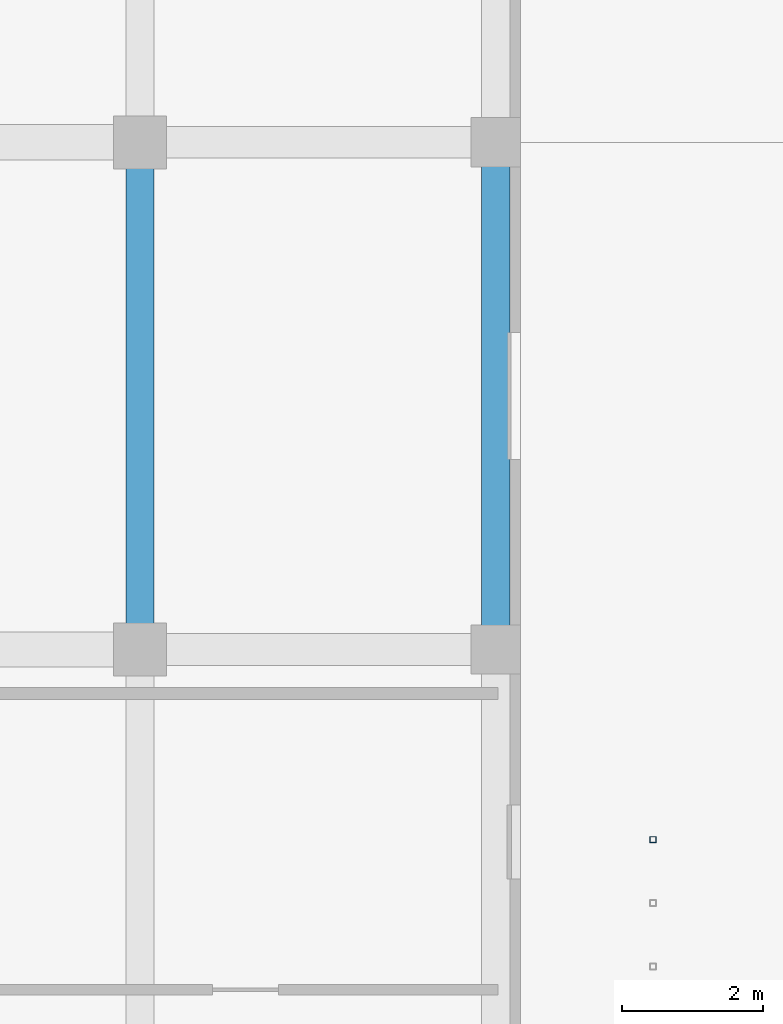
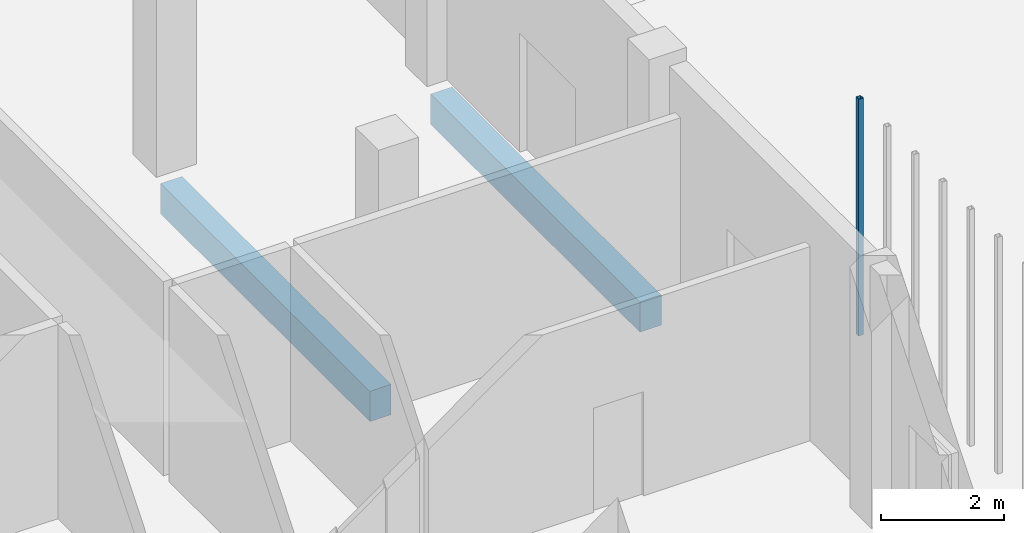
# One storey, part 17 of 85: 2 beams, 1 member.
"""IFC4 building model written with IfcOpenShell, lengths in metres."""

from ifc_helpers import new_model, si_unit, derived_unit, direction, frame, origin, origin_2d, place, context, subcontext, project, spatial, rectangle, hollow_rectangle, extrude, material, material_profile, profile_set, type_object, element, save


model = new_model("IFC4")

# Units and contexts
model_context = context("Model", 3, precision=1e-05, world=origin(), true_north=direction((0.0, 1.0)))
body_context = subcontext(model_context, "Body", "Model", "MODEL_VIEW")
ifc_project = project(units=[si_unit("LENGTHUNIT", "METRE"), si_unit("AREAUNIT", "SQUARE_METRE"), si_unit("VOLUMEUNIT", "CUBIC_METRE"), si_unit("PLANEANGLEUNIT", "RADIAN"), si_unit("MASSUNIT", "GRAM", prefix="KILO"), derived_unit("THERMALTRANSMITTANCEUNIT", [(si_unit("MASSUNIT", "GRAM", prefix="KILO"), 1), (si_unit("TIMEUNIT", "SECOND"), -3), (si_unit("THERMODYNAMICTEMPERATUREUNIT", "KELVIN"), -1)])], contexts=[model_context])

# Site, building, storey
site_placement = place(None, origin())
site = spatial("IfcSite", under=ifc_project, at=site_placement, CompositionType="ELEMENT")
building_placement = place(site_placement, origin())
building = spatial("IfcBuilding", under=site, at=building_placement, Name="Ochrekiln Boulevard Commons", CompositionType="ELEMENT")
storey_placement = place(building_placement, origin())
storey = spatial("IfcBuildingStorey", under=building, at=storey_placement, Name="L00", CompositionType="ELEMENT", Elevation=0.0)

# Beams
ifc_material_1 = material(Name="Concrete C35/45", Category="concrete")
ifc_material_profile_1 = material_profile(ifc_material_1, rectangle(XDim=0.39990234375, YDim=0.60009765625, at=origin_2d()), Name="RC-BM-400x600")
ifc_profile_set_1 = profile_set([ifc_material_profile_1], Name="Concrete C35/45")
beam_type = type_object("IfcBeamType", Name="BM-RC-400x600", PredefinedType="BEAM", material=ifc_profile_set_1)
for number, where, z_axis, x_axis, name in (
    (1, (16.199951171875, 90.2099609375, -0.580078125), (0.0, 1.0, 0.0), (-1.0, 0.0, 0.0), "Block A L00 Beam B-4060 Y40"),
    (2, (21.25, 90.2099609375, -0.580078125), (0.0, 1.0, 0.0), (-1.0, 0.0, 0.0), "Block A L00 Beam B-4060 Y47"),
):
    element("IfcBeam", number, at=place(storey_placement, frame(where, z_axis=z_axis, x_axis=x_axis)), inside=storey, type_object=beam_type, Name=name, PredefinedType="BEAM", context=body_context, shape_type="SweptSolid", body=[
        extrude(rectangle(XDim=0.39990234375, YDim=0.60009765625, at=origin_2d()), origin(), (0.0, 0.0, 1.0), 6.780029296875),
    ])

# Member
ifc_material_2 = material(Name="Steel A500 Grade C", Category="steel")
ifc_material_profile_2 = material_profile(ifc_material_2, hollow_rectangle(XDim=0.090087890625, YDim=0.090087890625, WallThickness=0.00634765625, at=origin_2d()), Name="HSS90X90X6.4")
ifc_profile_set_2 = profile_set([ifc_material_profile_2], Name="Steel A500 Grade C")
member_type = type_object("IfcMemberType", Name="MEM-PST-HSS90", PredefinedType="POST", material=ifc_profile_set_2)
member_placement = place(storey_placement, frame((23.47998046875, 87.300048828125, 0.0), z_axis=(0.0, 0.0, 1.0), x_axis=(1.0, 0.0, 0.0)))
element("IfcMember", 3, at=member_placement, inside=storey, type_object=member_type, Name="Block A L00 Slim Vertical Balcony Post (11)", PredefinedType="POST", context=body_context, shape_type="SweptSolid", body=[
    extrude(hollow_rectangle(XDim=0.090087890625, YDim=0.090087890625, WallThickness=0.00634765625, at=origin_2d()), origin(), (0.0, 0.0, 1.0), 4.679931640625),
])

save(model, "model.ifc")
